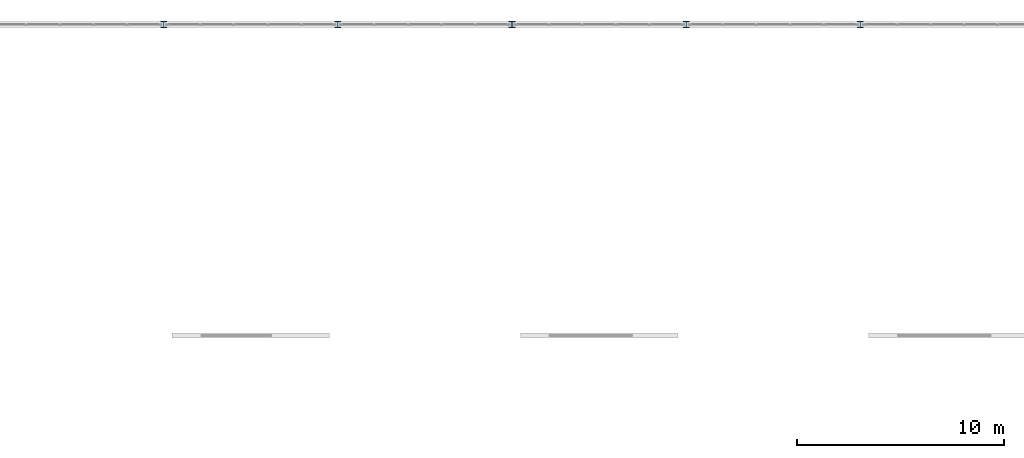
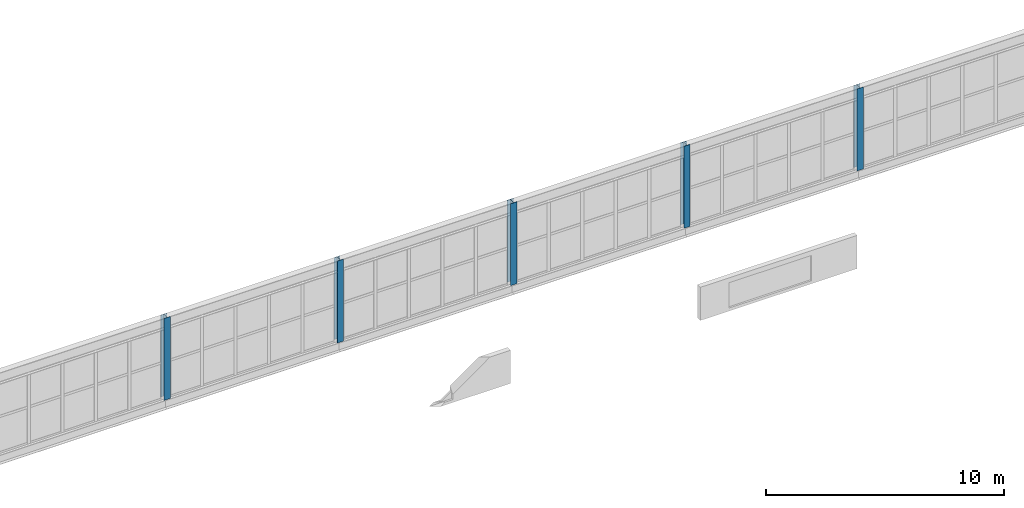
# One storey, part 32 of 218: 5 columns.
"""IFC4 building model written with IfcOpenShell, lengths in metres."""

from ifc_helpers import new_model, si_unit, direction, frame, origin, origin_2d, place, context, subcontext, project, spatial, i_section, extrude, material, material_profile, profile_set, type_object, element, save


model = new_model("IFC4")

# Units and contexts
model_context = context("Model", 3, precision=1e-05, world=origin(), true_north=direction((0.0, 1.0)))
body_context = subcontext(model_context, "Body", "Model", "MODEL_VIEW")
ifc_project = project(units=[si_unit("LENGTHUNIT", "METRE"), si_unit("AREAUNIT", "SQUARE_METRE"), si_unit("VOLUMEUNIT", "CUBIC_METRE"), si_unit("PLANEANGLEUNIT", "RADIAN"), si_unit("MASSUNIT", "GRAM", prefix="KILO")], contexts=[model_context])

# Site, building, storey
site_placement = place(None, origin())
site = spatial("IfcSite", under=ifc_project, at=site_placement, CompositionType="ELEMENT")
building_placement = place(site_placement, origin())
building = spatial("IfcBuilding", under=site, at=building_placement, Name="Kazenagashi Tramway Depot", CompositionType="ELEMENT")
storey_placement = place(building_placement, frame((0.0, 0.0, 6.0)))
storey = spatial("IfcBuildingStorey", under=building, at=storey_placement, Name="L02", CompositionType="ELEMENT", Elevation=6.0)

# Columns
ifc_material = material(Name="Steel SN490B", Category="steel")
ifc_material_profile = material_profile(ifc_material, i_section(OverallWidth=0.3, OverallDepth=0.3, WebThickness=0.01, FlangeThickness=0.015, at=origin_2d()), Name="H-300x300x10x15")
ifc_profile_set = profile_set([ifc_material_profile], Name="Steel SN490B")
column_type = type_object("IfcColumnType", Name="C-05", PredefinedType="COLUMN", material=ifc_profile_set)
for number, where, z_axis, x_axis, name in (
    (1, (128.8, 130.0, 0.0), (0.0, 0.0, 1.0), (1.0, 0.0, 0.0), "Column C-05 COL-0066"),
    (2, (137.2, 130.0, 0.0), (0.0, 0.0, 1.0), (1.0, 0.0, 0.0), "Column C-05 COL-0072"),
    (3, (145.6, 130.0, 0.0), (0.0, 0.0, 1.0), (1.0, 0.0, 0.0), "Column C-05 COL-0078"),
    (4, (154.0, 130.0, 0.0), (0.0, 0.0, 1.0), (1.0, 0.0, 0.0), "Column C-05 COL-0084"),
    (5, (162.4, 130.0, 0.0), (0.0, 0.0, 1.0), (1.0, 0.0, 0.0), "Column C-05 COL-0090"),
):
    element("IfcColumn", number, at=place(storey_placement, frame(where, z_axis=z_axis, x_axis=x_axis)), inside=storey, type_object=column_type, Name=name, PredefinedType="COLUMN", context=body_context, shape_type="SweptSolid", body=[
        extrude(i_section(OverallWidth=0.3, OverallDepth=0.3, WebThickness=0.01, FlangeThickness=0.015, at=origin_2d()), origin(), (0.0, 0.0, 1.0), 4.2),
    ])

save(model, "model.ifc")
